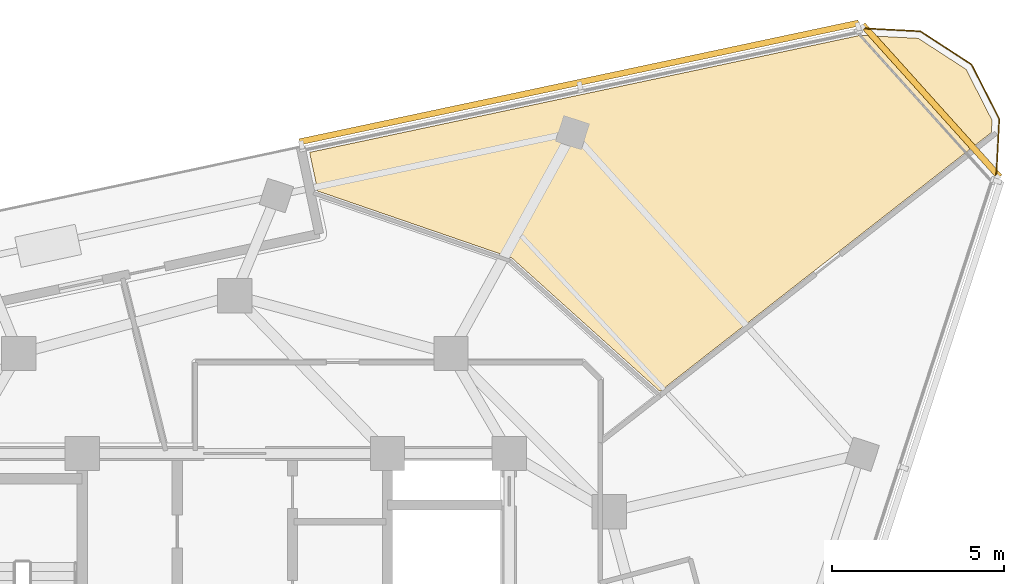
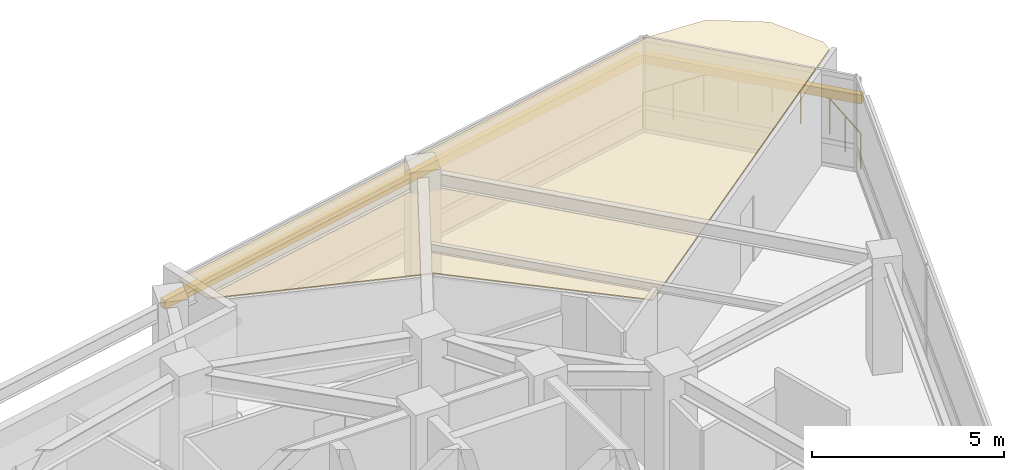
# One storey, part 15 of 15: 2 shading devices, 1 covering, 1 railing.
"""IFC4 building model written with IfcOpenShell, lengths in metres."""

from ifc_helpers import new_model, si_unit, direction, frame, origin, origin_2d, place, context, subcontext, project, spatial, polyline, rectangle, circle, outline, extrude, material, layer, layer_set, type_object, element, save


model = new_model("IFC4")

# Units and contexts
model_context = context("Model", 3, precision=1e-05, world=origin(), true_north=direction((0.0, 1.0)))
body_context = subcontext(model_context, "Body", "Model", "MODEL_VIEW")
ifc_project = project(units=[si_unit("LENGTHUNIT", "METRE"), si_unit("AREAUNIT", "SQUARE_METRE"), si_unit("VOLUMEUNIT", "CUBIC_METRE"), si_unit("PLANEANGLEUNIT", "RADIAN"), si_unit("MASSUNIT", "GRAM", prefix="KILO")], contexts=[model_context])

# Site, building, storey
site_placement = place(None, origin())
site = spatial("IfcSite", under=ifc_project, at=site_placement, CompositionType="ELEMENT")
building_placement = place(site_placement, origin())
building = spatial("IfcBuilding", under=site, at=building_placement, Name="Terralouvre Media Tower", CompositionType="ELEMENT")
storey_placement = place(building_placement, frame((0.0, 0.0, 290.60009765625)))
storey = spatial("IfcBuildingStorey", under=building, at=storey_placement, Name="L75", CompositionType="ELEMENT", Elevation=290.60009765625)

# Covering
ifc_material_1 = material(Name="Perforated aluminium acoustic ceiling baffle", Category="aluminium")
ifc_layer_1 = layer(ifc_material_1, 0.0400390625, Name="Perforated Acoustic Metal Tile Ceiling CL-AC1")
ifc_layer_set_1 = layer_set([ifc_layer_1], Name="Perforated aluminium acoustic ceiling baffle")
covering_type = type_object("IfcCoveringType", Name="Perforated Acoustic Metal Tile Ceiling CL-AC1", PredefinedType="CEILING", material=ifc_layer_set_1)
covering_placement = place(storey_placement, frame((0.0, 0.0, 2.97998046875), z_axis=(0.0, 0.0, 1.0), x_axis=(0.309016994375, 0.951056516295, 0.0)))
element("IfcCovering", 1, at=covering_placement, inside=storey, type_object=covering_type, Name="L75 Digital Editing Lecture Room 6 Acoustic Ceiling", PredefinedType="CEILING", context=body_context, shape_type="SweptSolid", body=[
    extrude(outline(polyline([(16.62841796875, 3.111083984375), (15.62890625, 2.534423828125), (15.525634765625, -3.421142578125), (15.52490234375, -3.431396484375), (15.5234375, -3.441162109375), (15.5205078125, -3.450927734375), (15.51708984375, -3.460205078125), (13.1591796875, -8.755615234375), (23.322021484375, -15.610595703125), (23.666015625, -15.51806640625), (24.841552734375, -14.342529296875), (25.272216796875, -12.73681640625), (24.834228515625, -11.10107421875), (16.62841796875, 3.111083984375)])), origin(), (0.0, 0.0, 1.0), 0.0400390625),
])

# Railing
ifc_material_2 = material(Name="Stainless steel 316 handrail and balustrade", Category="steel")
ifc_layer_2 = layer(ifc_material_2, 0.06005859375, Name="Roof Edge Safety Guardrail GR-ROOF1")
ifc_layer_set_2 = layer_set([ifc_layer_2], Name="Stainless steel 316 handrail and balustrade")
railing_type = type_object("IfcRailingType", Name="Roof Edge Safety Guardrail GR-ROOF1", PredefinedType="GUARDRAIL", material=ifc_layer_set_2)
railing_placement = place(storey_placement, frame((22.189453125, 15.972900390625, 0.0)))
element("IfcRailing", 2, at=railing_placement, inside=storey, type_object=railing_type, Name="L75 Wind-Corner Perimeter Safety Guardrail C1", PredefinedType="GUARDRAIL", context=body_context, shape_type="SweptSolid", body=[
    extrude(circle(Radius=0.02099609375, at=origin_2d()), frame((0.0, 0.0, 1.12890625), z_axis=(0.052530038308, 0.998619344433, 0.0), x_axis=(-0.998619344433, 0.052530038308, 0.0)), (0.0, 0.0, 1.0), 1.780029296875),
    extrude(circle(Radius=0.02099609375, at=origin_2d()), frame((0.093505859375, 1.777587890625, 1.12890625), z_axis=(-0.453894958645, 0.891055198356, 0.0), x_axis=(-0.891055198356, -0.453894958645, 0.0)), (0.0, 0.0, 1.0), 1.77978515625),
    extrude(circle(Radius=0.02099609375, at=origin_2d()), frame((-0.71435546875, 3.363525390625, 1.12890625), z_axis=(-0.838763173907, 0.544496407791, 0.0), x_axis=(-0.544496407791, -0.838763173907, 0.0)), (0.0, 0.0, 1.0), 1.779541015625),
    extrude(circle(Radius=0.02099609375, at=origin_2d()), frame((-2.20703125, 4.33251953125, 1.12890625), z_axis=(-0.998641217395, 0.052112560095, 0.0), x_axis=(-0.052112560095, -0.998641217395, 0.0)), (0.0, 0.0, 1.0), 1.7802734375),
    extrude(circle(Radius=0.01904296875, at=origin_2d()), origin(), (0.0, 0.0, 1.0), 1.10791015625),
    extrude(circle(Radius=0.01904296875, at=origin_2d()), frame((0.046875, 0.888671875, 0.0)), (0.0, 0.0, 1.0), 1.10791015625),
    extrude(circle(Radius=0.01904296875, at=origin_2d()), frame((0.093505859375, 1.777587890625, 0.0)), (0.0, 0.0, 1.0), 1.10791015625),
    extrude(circle(Radius=0.01904296875, at=origin_2d()), frame((-0.310546875, 2.570556640625, 0.0)), (0.0, 0.0, 1.0), 1.10791015625),
    extrude(circle(Radius=0.01904296875, at=origin_2d()), frame((-0.71435546875, 3.363525390625, 0.0)), (0.0, 0.0, 1.0), 1.10791015625),
    extrude(circle(Radius=0.01904296875, at=origin_2d()), frame((-1.460693359375, 3.84814453125, 0.0)), (0.0, 0.0, 1.0), 1.10791015625),
    extrude(circle(Radius=0.01904296875, at=origin_2d()), frame((-2.20703125, 4.33251953125, 0.0)), (0.0, 0.0, 1.0), 1.10791015625),
    extrude(circle(Radius=0.01904296875, at=origin_2d()), frame((-3.095947265625, 4.37890625, 0.0)), (0.0, 0.0, 1.0), 1.10791015625),
    extrude(circle(Radius=0.01904296875, at=origin_2d()), frame((-3.98486328125, 4.42529296875, 0.0)), (0.0, 0.0, 1.0), 1.10791015625),
])

# Shading devices
ifc_material_3 = material(Name="Extruded terracotta baguette sunshade louvres", Category="masonry")
shading_device_type = type_object("IfcShadingDeviceType", Name="Terracotta Baguette Sunshade Louvre Screen TB-LV1", PredefinedType="USERDEFINED", material=ifc_material_3)
shading_device_1_placement = place(storey_placement, frame((10.03759765625, 18.814453125, 2.02392578125), z_axis=(0.0, 0.0, 1.0), x_axis=(-0.978147588229, -0.207911749648, 0.0)))
element("IfcShadingDevice", 3, at=shading_device_1_placement, inside=storey, type_object=shading_device_type, Name="CW-L75-F1L Terracotta Baguette Sunshade Louvre", ObjectType="BAGUETTE", PredefinedType="USERDEFINED", context=body_context, shape_type="SweptSolid", body=[
    extrude(rectangle(XDim=16.659912109375, YDim=0.179931640625, at=origin_2d()), origin(), (0.0, 0.0, 1.0), 0.280029296875),
])
shading_device_2_placement = place(storey_placement, frame((20.29736328125, 18.27587890625, 2.02392578125), z_axis=(0.0, 0.0, 1.0), x_axis=(-0.669130231192, 0.743145163279, 0.0)))
element("IfcShadingDevice", 4, at=shading_device_2_placement, inside=storey, type_object=shading_device_type, Name="CW-L75-C1 Terracotta Baguette Sunshade Louvre", ObjectType="BAGUETTE", PredefinedType="USERDEFINED", context=body_context, shape_type="SweptSolid", body=[
    extrude(rectangle(XDim=5.958251953125, YDim=0.179931640625, at=origin_2d()), origin(), (0.0, 0.0, 1.0), 0.280029296875),
])

save(model, "model.ifc")
